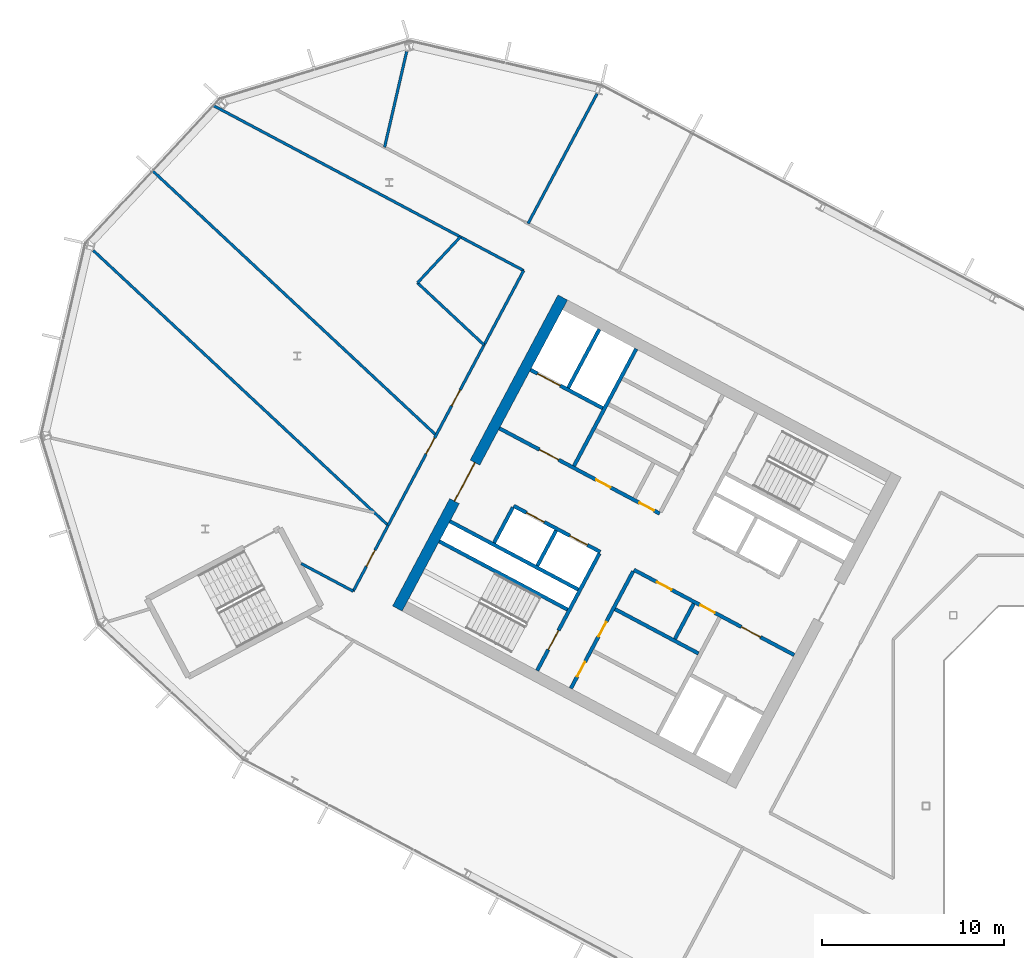
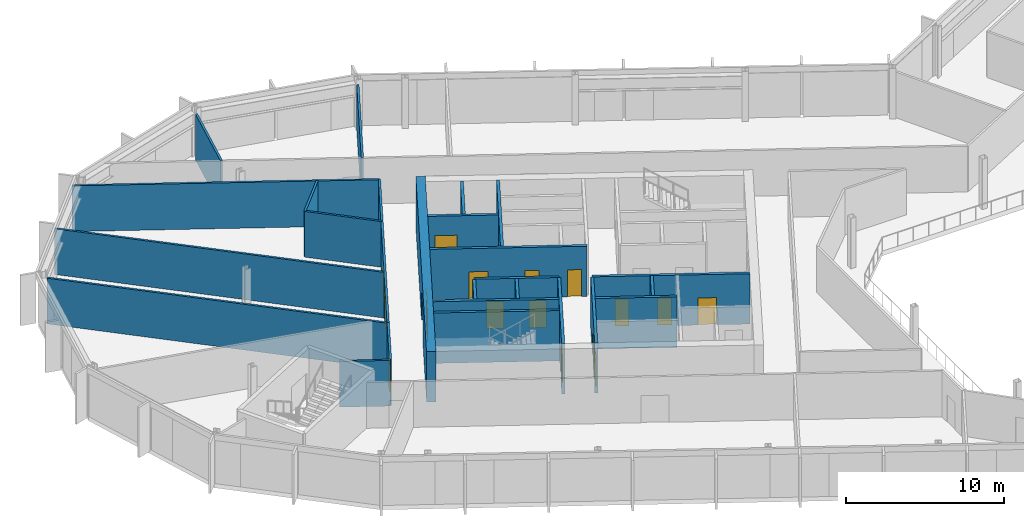
# One storey, part 13 of 26: 25 walls, 16 doors, 16 openings.
"""IFC4 building model written with IfcOpenShell, lengths in metres."""

from ifc_helpers import new_model, si_unit, direction, frame, frame_2d, origin, place, context, subcontext, project, spatial, rectangle, extrude, material, layer, layer_set, type_object, element, fill, save


model = new_model("IFC4")

# Units and contexts
model_context = context("Model", 3, precision=1e-05, world=origin(), true_north=direction((0.0, 1.0)))
body_context = subcontext(model_context, "Body", "Model", "MODEL_VIEW")
ifc_project = project(units=[si_unit("LENGTHUNIT", "METRE"), si_unit("AREAUNIT", "SQUARE_METRE"), si_unit("VOLUMEUNIT", "CUBIC_METRE"), si_unit("PLANEANGLEUNIT", "RADIAN"), si_unit("MASSUNIT", "GRAM", prefix="KILO")], contexts=[model_context])

# Site, building, storey
site_placement = place(None, origin())
site = spatial("IfcSite", under=ifc_project, at=site_placement, CompositionType="ELEMENT")
building_placement = place(site_placement, origin())
building = spatial("IfcBuilding", under=site, at=building_placement, Name="Cormorant Relay Tower", CompositionType="ELEMENT")
storey_placement = place(building_placement, frame((0.0, 0.0, 193.5)))
storey = spatial("IfcBuildingStorey", under=building, at=storey_placement, Name="L41", CompositionType="ELEMENT", Elevation=193.5)

# Walls
ifc_material_1 = material(Name="Concrete 40 MPa", Category="concrete")
ifc_layer_1 = layer(ifc_material_1, 0.199951171875)
ifc_layer_set_1 = layer_set([ifc_layer_1], Name="Core internal wall 200")
wall_type_1 = type_object("IfcWallType", Name="Core internal wall 200", PredefinedType="SOLIDWALL", material=ifc_layer_set_1)
for number, where, z_axis, x_axis, name in (
    (1, (-24.79052734375, 11.142822265625, 0.0), (0.0, 0.0, 1.0), (-0.469487830541, -0.882938942948, 0.0), "L41 core A shaft and room wall"),
    (2, (-32.3662109375, 15.1708984375, 0.0), (0.0, 0.0, 1.0), (-0.469487830541, -0.882938942948, 0.0), "L41 core A shaft and room wall"),
):
    element("IfcWall", number, at=place(storey_placement, frame(where, z_axis=z_axis, x_axis=x_axis)), inside=storey, type_object=wall_type_1, Name=name, PredefinedType="SOLIDWALL", context=body_context, shape_type="SweptSolid", body=[
        extrude(rectangle(XDim=2.2001953125, YDim=0.199951171875, at=frame_2d((1.10009765625, 0.0))), origin(), (0.0, 0.0, 1.0), 3.89990234375),
    ])

# Wall, openings, doors
ifc_material_2 = material(Name="Concrete 50 MPa", Category="concrete")
ifc_layer_2 = layer(ifc_material_2, 0.199951171875)
ifc_layer_set_2 = layer_set([ifc_layer_2], Name="Core shaft wall 200")
wall_type_2 = type_object("IfcWallType", Name="Core shaft wall 200", PredefinedType="SHEAR", material=ifc_layer_set_2)
wall_1_placement = place(storey_placement, frame((-28.128173828125, 12.91748046875, 0.0), z_axis=(0.0, 0.0, 1.0), x_axis=(-0.469454336211, -0.882956752176, 0.0)))
wall_1 = element("IfcWall", 3, at=wall_1_placement, inside=storey, type_object=wall_type_2, Name="L41 core A shaft wall", PredefinedType="SHEAR", context=body_context, shape_type="SweptSolid", body=[
    extrude(rectangle(XDim=7.300048828125, YDim=0.199951171875, at=frame_2d((3.64990234375, 0.0))), origin(), (0.0, 0.0, 1.0), 3.89990234375),
])
opening_1_placement = place(wall_1_placement, frame((3.14990234375, 0.0, 0.0)))
opening_1 = element("IfcOpeningElement", 4, at=opening_1_placement, cuts=wall_1, Name="Opening CDD-236", PredefinedType="OPENING", context=body_context, shape_type="SweptSolid", body=[
    extrude(rectangle(XDim=0.89990234375, YDim=2.10009765625, at=frame_2d((0.449951171875, 1.050048828125))), frame((0.0, 0.10986328125, 0.0), z_axis=(0.0, -1.0, 0.0), x_axis=(1.0, 0.0, 0.0)), (0.0, 0.0, 1.0), 0.219970703125),
])
opening_2_placement = place(wall_1_placement, frame((5.64990234375, 0.0, 0.0)))
opening_2 = element("IfcOpeningElement", 5, at=opening_2_placement, cuts=wall_1, Name="Opening CDD-237", PredefinedType="OPENING", context=body_context, shape_type="SweptSolid", body=[
    extrude(rectangle(XDim=0.89990234375, YDim=2.10009765625, at=frame_2d((0.449951171875, 1.050048828125))), frame((0.0, 0.10986328125, 0.0), z_axis=(0.0, -1.0, 0.0), x_axis=(1.0, 0.0, 0.0)), (0.0, 0.0, 1.0), 0.219970703125),
])
ifc_material_3 = material(Name="Steel fire door", Category="steel")
door_type_1 = type_object("IfcDoorType", Name="Core room door 900x2100", OperationType="SINGLE_SWING_LEFT", PredefinedType="DOOR", material=ifc_material_3)
door_1_placement = place(opening_1_placement, origin())
door_1 = element("IfcDoor", 6, at=door_1_placement, inside=storey, type_object=door_type_1, Name="Core room door 900x2100", OperationType="SINGLE_SWING_LEFT", OverallHeight=2.10009765625, OverallWidth=0.89990234375, PredefinedType="DOOR", context=body_context, shape_type="SweptSolid", body=[
    extrude(rectangle(XDim=0.89990234375, YDim=2.10009765625, at=frame_2d((0.449951171875, 1.050048828125))), frame((0.0, 0.02490234375, 0.0), z_axis=(0.0, -1.0, 0.0), x_axis=(1.0, 0.0, 0.0)), (0.0, 0.0, 1.0), 0.050048828125),
])
fill(opening_1, door_1)
door_2_placement = place(opening_2_placement, origin())
door_2 = element("IfcDoor", 7, at=door_2_placement, inside=storey, type_object=door_type_1, Name="Core room door 900x2100", OperationType="SINGLE_SWING_LEFT", OverallHeight=2.10009765625, OverallWidth=0.89990234375, PredefinedType="DOOR", context=body_context, shape_type="SweptSolid", body=[
    extrude(rectangle(XDim=0.89990234375, YDim=2.10009765625, at=frame_2d((0.449951171875, 1.050048828125))), frame((0.0, 0.02490234375, 0.0), z_axis=(0.0, -1.0, 0.0), x_axis=(1.0, 0.0, 0.0)), (0.0, 0.0, 1.0), 0.050048828125),
])
fill(opening_2, door_2)

# Wall, opening, door
wall_2_placement = place(storey_placement, frame((-29.982421875, 13.9033203125, 0.0), z_axis=(0.0, 0.0, 1.0), x_axis=(-0.469454336211, -0.882956752176, 0.0)))
wall_2 = element("IfcWall", 8, at=wall_2_placement, inside=storey, type_object=wall_type_2, Name="L41 core A shaft wall", PredefinedType="SHEAR", context=body_context, shape_type="SweptSolid", body=[
    extrude(rectangle(XDim=7.300048828125, YDim=0.199951171875, at=frame_2d((3.64990234375, 0.0))), origin(), (0.0, 0.0, 1.0), 3.89990234375),
])
opening_3_placement = place(wall_2_placement, frame((4.800048828125, 0.0, 0.0)))
opening_3 = element("IfcOpeningElement", 9, at=opening_3_placement, cuts=wall_2, Name="Opening CDB-039", PredefinedType="OPENING", context=body_context, shape_type="SweptSolid", body=[
    extrude(rectangle(XDim=1.199951171875, YDim=2.10009765625, at=frame_2d((0.60009765625, 1.050048828125))), frame((0.0, 0.10986328125, 0.0), z_axis=(0.0, -1.0, 0.0), x_axis=(1.0, 0.0, 0.0)), (0.0, 0.0, 1.0), 0.219970703125),
])
ifc_material_4 = material(Name="Steel fire door", Category="steel")
door_type_2 = type_object("IfcDoorType", Name="Core stair door 1200x2100", OperationType="SINGLE_SWING_LEFT", PredefinedType="DOOR", material=ifc_material_4)
door_3_placement = place(opening_3_placement, frame((1.199951171875, 0.0, 0.0), z_axis=(0.0, 0.0, 1.0), x_axis=(-1.0, 0.0, 0.0)))
door_3 = element("IfcDoor", 10, at=door_3_placement, inside=storey, type_object=door_type_2, Name="Core stair door 1200x2100", OperationType="SINGLE_SWING_RIGHT", OverallHeight=2.10009765625, OverallWidth=1.199951171875, PredefinedType="DOOR", context=body_context, shape_type="SweptSolid", body=[
    extrude(rectangle(XDim=1.199951171875, YDim=2.10009765625, at=frame_2d((0.60009765625, 1.050048828125))), frame((0.0, 0.02490234375, 0.0), z_axis=(0.0, -1.0, 0.0), x_axis=(1.0, 0.0, 0.0)), (0.0, 0.0, 1.0), 0.050048828125),
])
fill(opening_3, door_3)

# Walls
wall_3_placement = place(storey_placement, frame((-27.955322265625, 25.170654296875, 0.0), z_axis=(0.0, 0.0, 1.0), x_axis=(-0.469480409012, -0.88294288918, 0.0)))
element("IfcWall", 11, at=wall_3_placement, inside=storey, type_object=wall_type_2, Name="L41 core A shaft wall", PredefinedType="SHEAR", context=body_context, shape_type="SweptSolid", body=[
    extrude(rectangle(XDim=7.300048828125, YDim=0.199951171875, at=frame_2d((3.64990234375, 0.0))), origin(), (0.0, 0.0, 1.0), 3.89990234375),
])
wall_4_placement = place(storey_placement, frame((-34.750244140625, 16.4384765625, 0.0), z_axis=(0.0, 0.0, 1.0), x_axis=(-0.469401318492, -0.882984938828, 0.0)))
element("IfcWall", 12, at=wall_4_placement, inside=storey, type_object=wall_type_2, Name="L41 core A shaft wall", PredefinedType="SHEAR", context=body_context, shape_type="SweptSolid", body=[
    extrude(rectangle(XDim=2.199951171875, YDim=0.199951171875, at=frame_2d((1.10009765625, 0.0))), origin(), (0.0, 0.0, 1.0), 3.89990234375),
])
wall_5_placement = place(storey_placement, frame((-29.986083984375, 26.250244140625, 0.0), z_axis=(0.0, 0.0, 1.0), x_axis=(-0.469494272526, -0.882935517501, 0.0)))
element("IfcWall", 13, at=wall_5_placement, inside=storey, type_object=wall_type_2, Name="L41 core A shaft wall", PredefinedType="SHEAR", context=body_context, shape_type="SweptSolid", body=[
    extrude(rectangle(XDim=3.64990234375, YDim=0.199951171875, at=frame_2d((1.824951171875, 0.0))), origin(), (0.0, 0.0, 1.0), 3.89990234375),
])

# Wall, opening, door
wall_6_placement = place(storey_placement, frame((-29.80419921875, 21.906494140625, 0.0), z_axis=(0.0, 0.0, 1.0), x_axis=(-0.882960433586, 0.469447412093, 0.0)))
wall_6 = element("IfcWall", 14, at=wall_6_placement, inside=storey, type_object=wall_type_2, Name="L41 core A shaft wall", PredefinedType="SHEAR", context=body_context, shape_type="SweptSolid", body=[
    extrude(rectangle(XDim=4.5, YDim=0.199951171875, at=frame_2d((2.25, 0.0))), origin(), (0.0, 0.0, 1.0), 3.89990234375),
])
opening_4_placement = place(wall_6_placement, frame((2.64990234375, 0.0, 0.0)))
opening_4 = element("IfcOpeningElement", 15, at=opening_4_placement, cuts=wall_6, Name="Opening LD3-015", PredefinedType="OPENING", context=body_context, shape_type="SweptSolid", body=[
    extrude(rectangle(XDim=1.39990234375, YDim=2.39990234375, at=frame_2d((0.699951171875, 1.199951171875))), frame((0.0, 0.10986328125, 0.0), z_axis=(0.0, -1.0, 0.0), x_axis=(1.0, 0.0, 0.0)), (0.0, 0.0, 1.0), 0.219970703125),
])
ifc_material_5 = material(Name="Stainless steel 316", Category="steel")
door_type_3 = type_object("IfcDoorType", Name="Lift landing door 1400x2400", OperationType="DOUBLE_DOOR_SLIDING", PredefinedType="DOOR", material=ifc_material_5)
door_4_placement = place(opening_4_placement, origin())
door_4 = element("IfcDoor", 16, at=door_4_placement, inside=storey, type_object=door_type_3, Name="SV1 landing door", OperationType="DOUBLE_DOOR_SLIDING", OverallHeight=2.39990234375, OverallWidth=1.39990234375, PredefinedType="DOOR", context=body_context, shape_type="SweptSolid", body=[
    extrude(rectangle(XDim=1.39990234375, YDim=2.39990234375, at=frame_2d((0.699951171875, 1.199951171875))), frame((0.0, 0.02490234375, 0.0), z_axis=(0.0, -1.0, 0.0), x_axis=(1.0, 0.0, 0.0)), (0.0, 0.0, 1.0), 0.050048828125),
])
fill(opening_4, door_4)

# Wall, openings, doors
wall_7_placement = place(storey_placement, frame((-26.66162109375, 16.1015625, 0.0), z_axis=(0.0, 0.0, 1.0), x_axis=(-0.882940221191, 0.469485426614, 0.0)))
wall_7 = element("IfcWall", 17, at=wall_7_placement, inside=storey, type_object=wall_type_2, Name="L41 core A shaft wall", PredefinedType="SHEAR", context=body_context, shape_type="SweptSolid", body=[
    extrude(rectangle(XDim=10.0, YDim=0.199951171875, at=frame_2d((5.0, 0.0))), origin(), (0.0, 0.0, 1.0), 3.89990234375),
])
opening_5_placement = place(wall_7_placement, frame((6.300048828125, 0.0, 0.0)))
opening_5 = element("IfcOpeningElement", 18, at=opening_5_placement, cuts=wall_7, Name="Opening CDC-034", PredefinedType="OPENING", context=body_context, shape_type="SweptSolid", body=[
    extrude(rectangle(XDim=1.199951171875, YDim=2.10009765625, at=frame_2d((0.60009765625, 1.050048828125))), frame((0.0, 0.10986328125, 0.0), z_axis=(0.0, -1.0, 0.0), x_axis=(1.0, 0.0, 0.0)), (0.0, 0.0, 1.0), 0.219970703125),
])
opening_6_placement = place(wall_7_placement, frame((0.360107421875, 0.0, 0.0)))
opening_6 = element("IfcOpeningElement", 19, at=opening_6_placement, cuts=wall_7, Name="Opening CDD-234", PredefinedType="OPENING", context=body_context, shape_type="SweptSolid", body=[
    extrude(rectangle(XDim=0.89990234375, YDim=2.10009765625, at=frame_2d((0.449951171875, 1.050048828125))), frame((0.0, 0.10986328125, 0.0), z_axis=(0.0, -1.0, 0.0), x_axis=(1.0, 0.0, 0.0)), (0.0, 0.0, 1.0), 0.219970703125),
])
opening_7_placement = place(wall_7_placement, frame((3.06005859375, 0.0, 0.0)))
opening_7 = element("IfcOpeningElement", 20, at=opening_7_placement, cuts=wall_7, Name="Opening CDD-235", PredefinedType="OPENING", context=body_context, shape_type="SweptSolid", body=[
    extrude(rectangle(XDim=0.89990234375, YDim=2.10009765625, at=frame_2d((0.449951171875, 1.050048828125))), frame((0.0, 0.10986328125, 0.0), z_axis=(0.0, -1.0, 0.0), x_axis=(1.0, 0.0, 0.0)), (0.0, 0.0, 1.0), 0.219970703125),
])
ifc_material_6 = material(Name="Steel fire door", Category="steel")
door_type_4 = type_object("IfcDoorType", Name="Core lobby door 1200x2100", OperationType="SINGLE_SWING_LEFT", PredefinedType="DOOR", material=ifc_material_6)
door_5_placement = place(opening_5_placement, origin())
door_5 = element("IfcDoor", 21, at=door_5_placement, inside=storey, type_object=door_type_4, Name="Core lobby door 1200x2100", OperationType="SINGLE_SWING_LEFT", OverallHeight=2.10009765625, OverallWidth=1.199951171875, PredefinedType="DOOR", context=body_context, shape_type="SweptSolid", body=[
    extrude(rectangle(XDim=1.199951171875, YDim=2.10009765625, at=frame_2d((0.60009765625, 1.050048828125))), frame((0.0, 0.02490234375, 0.0), z_axis=(0.0, -1.0, 0.0), x_axis=(1.0, 0.0, 0.0)), (0.0, 0.0, 1.0), 0.050048828125),
])
fill(opening_5, door_5)
door_6_placement = place(opening_6_placement, frame((0.89990234375, 0.0, 0.0), z_axis=(0.0, 0.0, 1.0), x_axis=(-1.0, 0.0, 0.0)))
door_6 = element("IfcDoor", 22, at=door_6_placement, inside=storey, type_object=door_type_1, Name="Core room door 900x2100", OperationType="SINGLE_SWING_RIGHT", OverallHeight=2.10009765625, OverallWidth=0.89990234375, PredefinedType="DOOR", context=body_context, shape_type="SweptSolid", body=[
    extrude(rectangle(XDim=0.89990234375, YDim=2.10009765625, at=frame_2d((0.449951171875, 1.050048828125))), frame((0.0, 0.02490234375, 0.0), z_axis=(0.0, -1.0, 0.0), x_axis=(1.0, 0.0, 0.0)), (0.0, 0.0, 1.0), 0.050048828125),
])
fill(opening_6, door_6)
door_7_placement = place(opening_7_placement, frame((0.89990234375, 0.0, 0.0), z_axis=(0.0, 0.0, 1.0), x_axis=(-1.0, 0.0, 0.0)))
door_7 = element("IfcDoor", 23, at=door_7_placement, inside=storey, type_object=door_type_1, Name="Core room door 900x2100", OperationType="SINGLE_SWING_RIGHT", OverallHeight=2.10009765625, OverallWidth=0.89990234375, PredefinedType="DOOR", context=body_context, shape_type="SweptSolid", body=[
    extrude(rectangle(XDim=0.89990234375, YDim=2.10009765625, at=frame_2d((0.449951171875, 1.050048828125))), frame((0.0, 0.02490234375, 0.0), z_axis=(0.0, -1.0, 0.0), x_axis=(1.0, 0.0, 0.0)), (0.0, 0.0, 1.0), 0.050048828125),
])
fill(opening_7, door_7)

wall_8_placement = place(storey_placement, frame((-19.251708984375, 8.31103515625, 0.0), z_axis=(0.0, 0.0, 1.0), x_axis=(-0.882955722218, 0.469456273365, 0.0)))
wall_8 = element("IfcWall", 24, at=wall_8_placement, inside=storey, type_object=wall_type_2, Name="L41 core A shaft wall", PredefinedType="SHEAR", context=body_context, shape_type="SweptSolid", body=[
    extrude(rectangle(XDim=10.0, YDim=0.199951171875, at=frame_2d((5.0, 0.0))), origin(), (0.0, 0.0, 1.0), 3.89990234375),
])
opening_8_placement = place(wall_8_placement, frame((2.10009765625, 0.0, 0.0)))
opening_8 = element("IfcOpeningElement", 25, at=opening_8_placement, cuts=wall_8, Name="Opening CDC-033", PredefinedType="OPENING", context=body_context, shape_type="SweptSolid", body=[
    extrude(rectangle(XDim=1.199951171875, YDim=2.10009765625, at=frame_2d((0.60009765625, 1.050048828125))), frame((0.0, 0.10986328125, 0.0), z_axis=(0.0, -1.0, 0.0), x_axis=(1.0, 0.0, 0.0)), (0.0, 0.0, 1.0), 0.219970703125),
])
opening_9_placement = place(wall_8_placement, frame((4.9599609375, 0.0, 0.0)))
opening_9 = element("IfcOpeningElement", 26, at=opening_9_placement, cuts=wall_8, Name="Opening CDD-232", PredefinedType="OPENING", context=body_context, shape_type="SweptSolid", body=[
    extrude(rectangle(XDim=0.89990234375, YDim=2.10009765625, at=frame_2d((0.449951171875, 1.050048828125))), frame((0.0, 0.10986328125, 0.0), z_axis=(0.0, -1.0, 0.0), x_axis=(1.0, 0.0, 0.0)), (0.0, 0.0, 1.0), 0.219970703125),
])
opening_10_placement = place(wall_8_placement, frame((7.659912109375, 0.0, 0.0)))
opening_10 = element("IfcOpeningElement", 27, at=opening_10_placement, cuts=wall_8, Name="Opening CDD-233", PredefinedType="OPENING", context=body_context, shape_type="SweptSolid", body=[
    extrude(rectangle(XDim=0.89990234375, YDim=2.10009765625, at=frame_2d((0.449951171875, 1.050048828125))), frame((0.0, 0.10986328125, 0.0), z_axis=(0.0, -1.0, 0.0), x_axis=(1.0, 0.0, 0.0)), (0.0, 0.0, 1.0), 0.219970703125),
])
door_8_placement = place(opening_8_placement, origin())
door_8 = element("IfcDoor", 28, at=door_8_placement, inside=storey, type_object=door_type_4, Name="Core lobby door 1200x2100", OperationType="SINGLE_SWING_RIGHT", OverallHeight=2.10009765625, OverallWidth=1.199951171875, PredefinedType="DOOR", context=body_context, shape_type="SweptSolid", body=[
    extrude(rectangle(XDim=1.199951171875, YDim=2.10009765625, at=frame_2d((0.60009765625, 1.050048828125))), frame((0.0, 0.02490234375, 0.0), z_axis=(0.0, -1.0, 0.0), x_axis=(1.0, 0.0, 0.0)), (0.0, 0.0, 1.0), 0.050048828125),
])
fill(opening_8, door_8)
door_9_placement = place(opening_9_placement, origin())
door_9 = element("IfcDoor", 29, at=door_9_placement, inside=storey, type_object=door_type_1, Name="Core room door 900x2100", OperationType="SINGLE_SWING_LEFT", OverallHeight=2.10009765625, OverallWidth=0.89990234375, PredefinedType="DOOR", context=body_context, shape_type="SweptSolid", body=[
    extrude(rectangle(XDim=0.89990234375, YDim=2.10009765625, at=frame_2d((0.449951171875, 1.050048828125))), frame((0.0, 0.02490234375, 0.0), z_axis=(0.0, -1.0, 0.0), x_axis=(1.0, 0.0, 0.0)), (0.0, 0.0, 1.0), 0.050048828125),
])
fill(opening_9, door_9)
door_10_placement = place(opening_10_placement, origin())
door_10 = element("IfcDoor", 30, at=door_10_placement, inside=storey, type_object=door_type_1, Name="Core room door 900x2100", OperationType="SINGLE_SWING_LEFT", OverallHeight=2.10009765625, OverallWidth=0.89990234375, PredefinedType="DOOR", context=body_context, shape_type="SweptSolid", body=[
    extrude(rectangle(XDim=0.89990234375, YDim=2.10009765625, at=frame_2d((0.449951171875, 1.050048828125))), frame((0.0, 0.02490234375, 0.0), z_axis=(0.0, -1.0, 0.0), x_axis=(1.0, 0.0, 0.0)), (0.0, 0.0, 1.0), 0.050048828125),
])
fill(opening_10, door_10)

wall_9_placement = place(storey_placement, frame((-29.935302734375, 13.991455078125, 0.0), z_axis=(0.0, 0.0, 1.0), x_axis=(-0.882952937579, 0.469461510692, 0.0)))
wall_9 = element("IfcWall", 31, at=wall_9_placement, inside=storey, type_object=wall_type_2, Name="L41 core A shaft wall", PredefinedType="SHEAR", context=body_context, shape_type="SweptSolid", body=[
    extrude(rectangle(XDim=5.400146484375, YDim=0.199951171875, at=frame_2d((2.7001953125, 0.0))), origin(), (0.0, 0.0, 1.0), 3.89990234375),
])
opening_11_placement = place(wall_9_placement, frame((0.800048828125, 0.0, 0.0)))
opening_11 = element("IfcOpeningElement", 32, at=opening_11_placement, cuts=wall_9, Name="Opening LD1-059", PredefinedType="OPENING", context=body_context, shape_type="SweptSolid", body=[
    extrude(rectangle(XDim=1.10009765625, YDim=2.10009765625, at=frame_2d((0.550048828125, 1.050048828125))), frame((0.0, 0.10986328125, 0.0), z_axis=(0.0, -1.0, 0.0), x_axis=(1.0, 0.0, 0.0)), (0.0, 0.0, 1.0), 0.219970703125),
])
opening_12_placement = place(wall_9_placement, frame((3.5, 0.0, 0.0)))
opening_12 = element("IfcOpeningElement", 33, at=opening_12_placement, cuts=wall_9, Name="Opening LD1-060", PredefinedType="OPENING", context=body_context, shape_type="SweptSolid", body=[
    extrude(rectangle(XDim=1.10009765625, YDim=2.10009765625, at=frame_2d((0.550048828125, 1.050048828125))), frame((0.0, 0.10986328125, 0.0), z_axis=(0.0, -1.0, 0.0), x_axis=(1.0, 0.0, 0.0)), (0.0, 0.0, 1.0), 0.219970703125),
])
ifc_material_7 = material(Name="Stainless steel 316", Category="steel")
door_type_5 = type_object("IfcDoorType", Name="Lift landing door 1100x2100", OperationType="DOUBLE_DOOR_SLIDING", PredefinedType="DOOR", material=ifc_material_7)
door_11_placement = place(opening_11_placement, origin())
door_11 = element("IfcDoor", 34, at=door_11_placement, inside=storey, type_object=door_type_5, Name="MR1 landing door", OperationType="DOUBLE_DOOR_SLIDING", OverallHeight=2.10009765625, OverallWidth=1.10009765625, PredefinedType="DOOR", context=body_context, shape_type="SweptSolid", body=[
    extrude(rectangle(XDim=1.10009765625, YDim=2.10009765625, at=frame_2d((0.550048828125, 1.050048828125))), frame((0.0, 0.02490234375, 0.0), z_axis=(0.0, -1.0, 0.0), x_axis=(1.0, 0.0, 0.0)), (0.0, 0.0, 1.0), 0.050048828125),
])
fill(opening_11, door_11)
door_12_placement = place(opening_12_placement, origin())
door_12 = element("IfcDoor", 35, at=door_12_placement, inside=storey, type_object=door_type_5, Name="MR2 landing door", OperationType="DOUBLE_DOOR_SLIDING", OverallHeight=2.10009765625, OverallWidth=1.10009765625, PredefinedType="DOOR", context=body_context, shape_type="SweptSolid", body=[
    extrude(rectangle(XDim=1.10009765625, YDim=2.10009765625, at=frame_2d((0.550048828125, 1.050048828125))), frame((0.0, 0.02490234375, 0.0), z_axis=(0.0, -1.0, 0.0), x_axis=(1.0, 0.0, 0.0)), (0.0, 0.0, 1.0), 0.050048828125),
])
fill(opening_12, door_12)

# Walls
wall_10_placement = place(storey_placement, frame((-24.5283203125, 8.3984375, 0.0), z_axis=(0.0, 0.0, 1.0), x_axis=(-0.882953967957, 0.469459572775, 0.0)))
element("IfcWall", 36, at=wall_10_placement, inside=storey, type_object=wall_type_2, Name="L41 core A shaft wall", PredefinedType="SHEAR", context=body_context, shape_type="SweptSolid", body=[
    extrude(rectangle(XDim=5.199951171875, YDim=0.199951171875, at=frame_2d((2.60009765625, 0.0))), origin(), (0.0, 0.0, 1.0), 3.89990234375),
])
for number, where, z_axis, x_axis, name in (
    (37, (-31.150390625, 11.91943359375, 0.0), (0.0, 0.0, 1.0), (-0.882940221191, 0.469485426614, 0.0), "L41 core A shaft wall"),
    (38, (-31.7373046875, 10.815673828125, 0.0), (0.0, 0.0, 1.0), (-0.882940221191, 0.469485426614, 0.0), "L41 core A shaft wall"),
):
    element("IfcWall", number, at=place(storey_placement, frame(where, z_axis=z_axis, x_axis=x_axis)), inside=storey, type_object=wall_type_2, Name=name, PredefinedType="SHEAR", context=body_context, shape_type="SweptSolid", body=[
        extrude(rectangle(XDim=8.0, YDim=0.199951171875, at=frame_2d((4.0, 0.0))), origin(), (0.0, 0.0, 1.0), 3.89990234375),
    ])

# Wall, opening, door
ifc_material_8 = material(Name="Concrete 50 MPa", Category="concrete")
ifc_layer_3 = layer(ifc_material_8, 0.60009765625)
ifc_layer_set_3 = layer_set([ifc_layer_3], Name="Core wall 600")
wall_type_3 = type_object("IfcWallType", Name="Core wall 600", PredefinedType="SHEAR", material=ifc_layer_set_3)
wall_11_placement = place(storey_placement, frame((-32.000244140625, 28.000732421875, 0.0), z_axis=(0.0, 0.0, 1.0), x_axis=(-0.469468958625, -0.882948977511, 0.0)))
wall_11 = element("IfcWall", 39, at=wall_11_placement, inside=storey, type_object=wall_type_3, Name="L41 core A wall", PredefinedType="SHEAR", context=body_context, shape_type="SweptSolid", body=[
    extrude(rectangle(XDim=19.39990234375, YDim=0.60009765625, at=frame_2d((9.699951171875, 0.0))), origin(), (0.0, 0.0, 1.0), 3.89990234375),
])
opening_13_placement = place(wall_11_placement, frame((10.300048828125, 0.0, 0.0)))
opening_13 = element("IfcOpeningElement", 40, at=opening_13_placement, cuts=wall_11, Name="Opening CDA-041", PredefinedType="OPENING", context=body_context, shape_type="SweptSolid", body=[
    extrude(rectangle(XDim=2.39990234375, YDim=2.39990234375, at=frame_2d((1.199951171875, 1.199951171875))), frame((0.0, 0.31005859375, 0.0), z_axis=(0.0, -1.0, 0.0), x_axis=(1.0, 0.0, 0.0)), (0.0, 0.0, 1.0), 0.6201171875),
])
ifc_material_9 = material(Name="Steel fire door", Category="steel")
door_type_6 = type_object("IfcDoorType", Name="Core lobby door 2400x2400", OperationType="DOUBLE_DOOR_SINGLE_SWING", PredefinedType="DOOR", material=ifc_material_9)
door_13_placement = place(opening_13_placement, origin())
door_13 = element("IfcDoor", 41, at=door_13_placement, inside=storey, type_object=door_type_6, Name="Core lobby door 2400x2400", OperationType="DOUBLE_DOOR_SINGLE_SWING", OverallHeight=2.39990234375, OverallWidth=2.39990234375, PredefinedType="DOOR", context=body_context, shape_type="SweptSolid", body=[
    extrude(rectangle(XDim=2.39990234375, YDim=2.39990234375, at=frame_2d((1.199951171875, 1.199951171875))), frame((0.0, 0.02490234375, 0.0), z_axis=(0.0, -1.0, 0.0), x_axis=(1.0, 0.0, 0.0)), (0.0, 0.0, 1.0), 0.050048828125),
])
fill(opening_13, door_13)

# Wall, openings, doors
ifc_material_10 = material(Name="Gypsum board fire partition")
ifc_layer_4 = layer(ifc_material_10, 0.14990234375)
ifc_layer_set_4 = layer_set([ifc_layer_4], Name="Corridor partition 150 EI 60")
wall_type_4 = type_object("IfcWallType", Name="Corridor partition 150 EI 60", PredefinedType="PARTITIONING", material=ifc_layer_set_4)
wall_12_placement = place(storey_placement, frame((-41.617919921875, 15.449951171875, 0.0), z_axis=(0.0, 0.0, 1.0), x_axis=(0.46945912711, 0.882954204913, 0.0)))
wall_12 = element("IfcWall", 42, at=wall_12_placement, inside=storey, type_object=wall_type_4, Name="wall/L41/part/007", PredefinedType="PARTITIONING", context=body_context, shape_type="SweptSolid", body=[
    extrude(rectangle(XDim=15.896728515625, YDim=0.14990234375, at=frame_2d((7.9482421875, 0.0))), origin(), (0.0, 0.0, 1.0), 3.5400390625),
])
opening_14_placement = place(wall_12_placement, frame((7.448974609375, 0.0, 0.0)))
opening_14 = element("IfcOpeningElement", 43, at=opening_14_placement, cuts=wall_12, Name="Opening DS-111", PredefinedType="OPENING", context=body_context, shape_type="SweptSolid", body=[
    extrude(rectangle(XDim=1.0, YDim=2.10009765625, at=frame_2d((0.5, 1.050048828125))), frame((0.0, 0.0849609375, 0.0), z_axis=(0.0, -1.0, 0.0), x_axis=(1.0, 0.0, 0.0)), (0.0, 0.0, 1.0), 0.169921875),
])
opening_15_placement = place(wall_12_placement, frame((4.449951171875, 0.0, 0.0)))
opening_15 = element("IfcOpeningElement", 44, at=opening_15_placement, cuts=wall_12, Name="Opening DS-112", PredefinedType="OPENING", context=body_context, shape_type="SweptSolid", body=[
    extrude(rectangle(XDim=1.0, YDim=2.10009765625, at=frame_2d((0.5, 1.050048828125))), frame((0.0, 0.0849609375, 0.0), z_axis=(0.0, -1.0, 0.0), x_axis=(1.0, 0.0, 0.0)), (0.0, 0.0, 1.0), 0.169921875),
])
ifc_material_11 = material(Name="Timber door leaf", Category="wood")
door_type_7 = type_object("IfcDoorType", Name="Suite door 1000x2100", OperationType="SINGLE_SWING_LEFT", PredefinedType="DOOR", material=ifc_material_11)
door_14_placement = place(opening_14_placement, origin())
door_14 = element("IfcDoor", 45, at=door_14_placement, inside=storey, type_object=door_type_7, Name="door/L41/005", OperationType="SINGLE_SWING_RIGHT", OverallHeight=2.10009765625, OverallWidth=1.0, PredefinedType="DOOR", context=body_context, shape_type="SweptSolid", body=[
    extrude(rectangle(XDim=1.0, YDim=2.10009765625, at=frame_2d((0.5, 1.050048828125))), frame((0.0, 0.02490234375, 0.0), z_axis=(0.0, -1.0, 0.0), x_axis=(1.0, 0.0, 0.0)), (0.0, 0.0, 1.0), 0.050048828125),
])
fill(opening_14, door_14)
door_15_placement = place(opening_15_placement, origin())
door_15 = element("IfcDoor", 46, at=door_15_placement, inside=storey, type_object=door_type_7, Name="door/L41/006", OperationType="SINGLE_SWING_RIGHT", OverallHeight=2.10009765625, OverallWidth=1.0, PredefinedType="DOOR", context=body_context, shape_type="SweptSolid", body=[
    extrude(rectangle(XDim=1.0, YDim=2.10009765625, at=frame_2d((0.5, 1.050048828125))), frame((0.0, 0.02490234375, 0.0), z_axis=(0.0, -1.0, 0.0), x_axis=(1.0, 0.0, 0.0)), (0.0, 0.0, 1.0), 0.050048828125),
])
fill(opening_15, door_15)

# Walls
wall_13_placement = place(storey_placement, frame((-34.155029296875, 29.486083984375, 0.0), z_axis=(0.0, 0.0, 1.0), x_axis=(-0.882941970897, 0.469482136006, 0.0)))
element("IfcWall", 47, at=wall_13_placement, inside=storey, type_object=wall_type_4, Name="wall/L41/part/008", PredefinedType="PARTITIONING", context=body_context, shape_type="SweptSolid", body=[
    extrude(rectangle(XDim=19.52783203125, YDim=0.14990234375, at=frame_2d((9.763916015625, 0.0))), origin(), (0.0, 0.0, 1.0), 3.5400390625),
])
wall_14_placement = place(storey_placement, frame((-46.403076171875, 13.346923828125, 0.0), z_axis=(0.0, 0.0, 1.0), x_axis=(0.882974130461, -0.469421649411, 0.0)))
element("IfcWall", 48, at=wall_14_placement, inside=storey, type_object=wall_type_4, Name="wall/L41/part/013", PredefinedType="PARTITIONING", context=body_context, shape_type="SweptSolid", body=[
    extrude(rectangle(XDim=3.238037109375, YDim=0.14990234375, at=frame_2d((1.619140625, 0.0))), origin(), (0.0, 0.0, 1.0), 3.5400390625),
])

# Wall, opening, door
wall_15_placement = place(storey_placement, frame((-41.617919921875, 15.449951171875, 0.0), z_axis=(0.0, 0.0, 1.0), x_axis=(-0.468819008191, -0.883294253099, 0.0)))
wall_15 = element("IfcWall", 49, at=wall_15_placement, inside=storey, type_object=wall_type_4, Name="wall/L41/part/014", PredefinedType="PARTITIONING", context=body_context, shape_type="SweptSolid", body=[
    extrude(rectangle(XDim=4.106201171875, YDim=0.14990234375, at=frame_2d((2.05322265625, 0.0))), origin(), (0.0, 0.0, 1.0), 3.5400390625),
])
opening_16_placement = place(wall_15_placement, frame((1.550048828125, 0.0, 0.0)))
opening_16 = element("IfcOpeningElement", 50, at=opening_16_placement, cuts=wall_15, Name="Opening DS-113", PredefinedType="OPENING", context=body_context, shape_type="SweptSolid", body=[
    extrude(rectangle(XDim=1.0, YDim=2.10009765625, at=frame_2d((0.5, 1.050048828125))), frame((0.0, 0.0849609375, 0.0), z_axis=(0.0, -1.0, 0.0), x_axis=(1.0, 0.0, 0.0)), (0.0, 0.0, 1.0), 0.169921875),
])
door_16_placement = place(opening_16_placement, frame((1.0, 0.0, 0.0), z_axis=(0.0, 0.0, 1.0), x_axis=(-1.0, 0.0, 0.0)))
door_16 = element("IfcDoor", 51, at=door_16_placement, inside=storey, type_object=door_type_7, Name="door/L41/007", OperationType="SINGLE_SWING_RIGHT", OverallHeight=2.10009765625, OverallWidth=1.0, PredefinedType="DOOR", context=body_context, shape_type="SweptSolid", body=[
    extrude(rectangle(XDim=1.0, YDim=2.10009765625, at=frame_2d((0.5, 1.050048828125))), frame((0.0, 0.02490234375, 0.0), z_axis=(0.0, -1.0, 0.0), x_axis=(1.0, 0.0, 0.0)), (0.0, 0.0, 1.0), 0.050048828125),
])
fill(opening_16, door_16)

# Walls
ifc_material_12 = material(Name="Gypsum board partition")
ifc_layer_5 = layer(ifc_material_12, 0.14990234375)
ifc_layer_set_5 = layer_set([ifc_layer_5], Name="Tenant partition 150")
wall_type_5 = type_object("IfcWallType", Name="Tenant partition 150", PredefinedType="PARTITIONING", material=ifc_layer_set_5)
wall_16_placement = place(storey_placement, frame((-54.714111328125, 35.095947265625, 0.0), z_axis=(0.0, 0.0, 1.0), x_axis=(0.731373223971, -0.681977424303, 0.0)))
element("IfcWall", 52, at=wall_16_placement, inside=storey, type_object=wall_type_5, Name="wall/L41/part/002", PredefinedType="PARTITIONING", context=body_context, shape_type="SweptSolid", body=[
    extrude(rectangle(XDim=21.519775390625, YDim=0.14990234375, at=frame_2d((10.759765625, 0.0))), origin(), (0.0, 0.0, 1.0), 3.5400390625),
])
wall_17_placement = place(storey_placement, frame((-41.616943359375, 15.451904296875, 0.0), z_axis=(0.0, 0.0, 1.0), x_axis=(-0.731394449571, 0.681954660617, 0.0)))
element("IfcWall", 53, at=wall_17_placement, inside=storey, type_object=wall_type_5, Name="wall/L41/part/003", PredefinedType="PARTITIONING", context=body_context, shape_type="SweptSolid", body=[
    extrude(rectangle(XDim=22.206787109375, YDim=0.14990234375, at=frame_2d((11.103515625, 0.0))), origin(), (0.0, 0.0, 1.0), 3.5400390625),
])
wall_18_placement = place(storey_placement, frame((-37.639892578125, 31.339111328125, 0.0), z_axis=(0.0, 0.0, 1.0), x_axis=(-0.681983873773, -0.731367210035, 0.0)))
element("IfcWall", 54, at=wall_18_placement, inside=storey, type_object=wall_type_5, Name="wall/L41/part/005", PredefinedType="PARTITIONING", context=body_context, shape_type="SweptSolid", body=[
    extrude(rectangle(XDim=3.460693359375, YDim=0.14990234375, at=frame_2d((1.73046875, 0.0))), origin(), (0.0, 0.0, 1.0), 3.5400390625),
])
wall_19_placement = place(storey_placement, frame((-40.0, 28.80810546875, 0.0), z_axis=(0.0, 0.0, 1.0), x_axis=(0.731199369693, -0.682163823257, 0.0)))
element("IfcWall", 55, at=wall_19_placement, inside=storey, type_object=wall_type_5, Name="wall/L41/part/006", PredefinedType="PARTITIONING", context=body_context, shape_type="SweptSolid", body=[
    extrude(rectangle(XDim=5.013671875, YDim=0.14990234375, at=frame_2d((2.5068359375, 0.0))), origin(), (0.0, 0.0, 1.0), 3.5400390625),
])
wall_20_placement = place(storey_placement, frame((-30.10888671875, 39.22509765625, 0.0), z_axis=(0.0, 0.0, 1.0), x_axis=(-0.469490973279, -0.882937271843, 0.0)))
element("IfcWall", 56, at=wall_20_placement, inside=storey, type_object=wall_type_5, Name="wall/L41/part/017", PredefinedType="PARTITIONING", context=body_context, shape_type="SweptSolid", body=[
    extrude(rectangle(XDim=8.09814453125, YDim=0.14990234375, at=frame_2d((4.049072265625, 0.0))), origin(), (0.0, 0.0, 1.0), 3.5400390625),
])
wall_21_placement = place(storey_placement, frame((-41.81298828125, 36.27587890625, 0.0), z_axis=(0.0, 0.0, 1.0), x_axis=(0.22495163737, 0.974369930183, 0.0)))
element("IfcWall", 57, at=wall_21_placement, inside=storey, type_object=wall_type_5, Name="wall/L41/part/018", PredefinedType="PARTITIONING", context=body_context, shape_type="SweptSolid", body=[
    extrude(rectangle(XDim=5.4189453125, YDim=0.14990234375, at=frame_2d((2.70947265625, 0.0))), origin(), (0.0, 0.0, 1.0), 3.5400390625),
])

save(model, "model.ifc")
